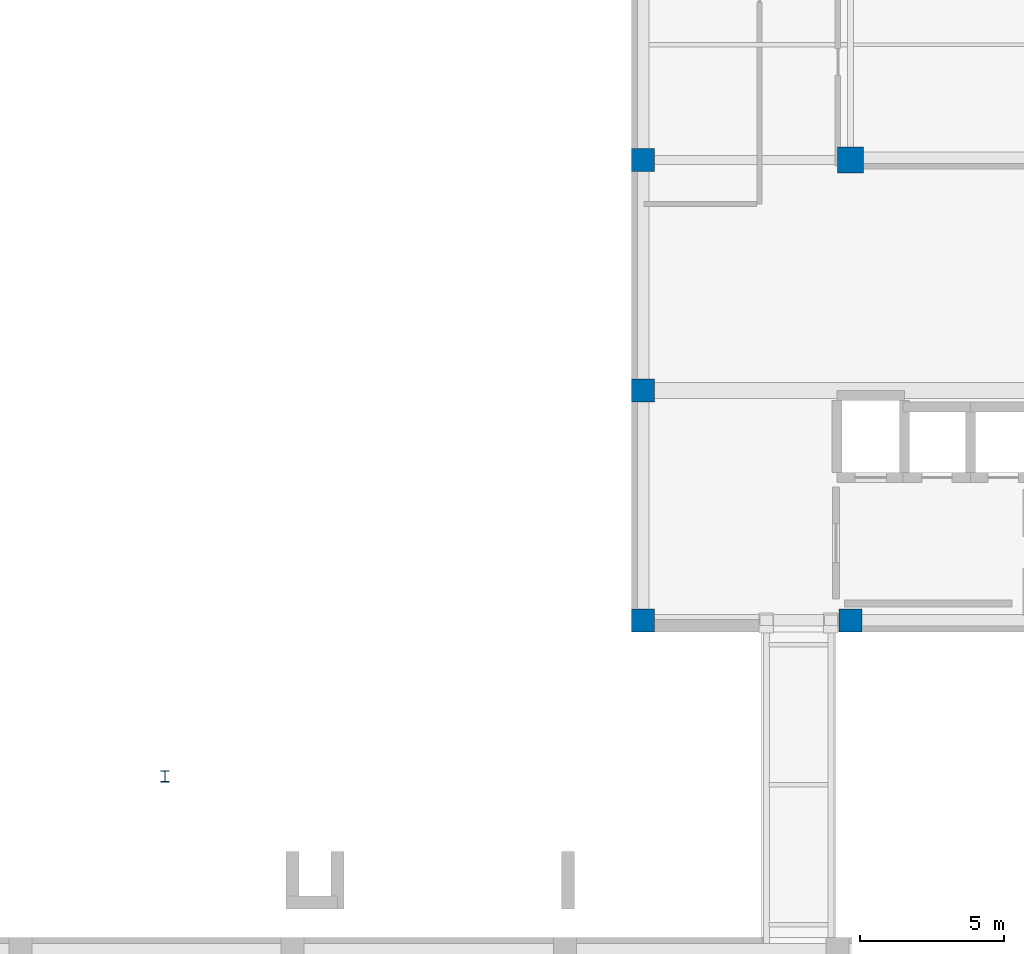
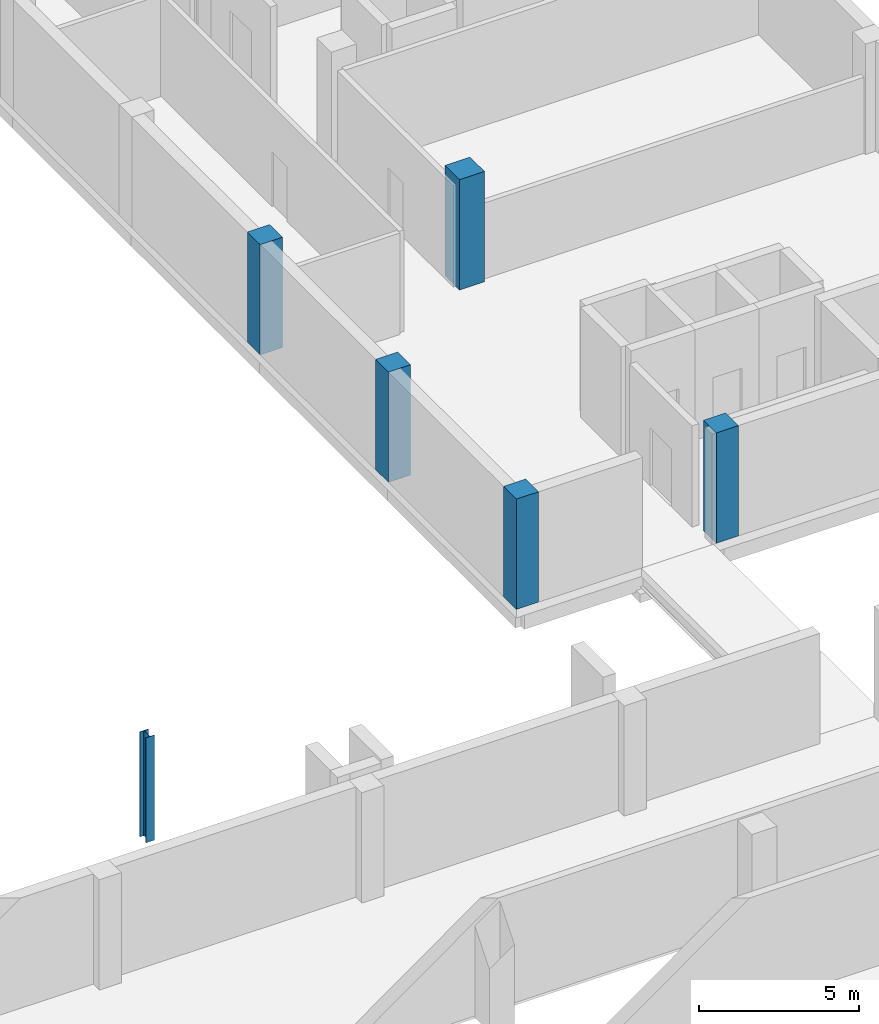
# One storey, part 7 of 31: 6 columns.
"""IFC4 building model written with IfcOpenShell, lengths in metres."""

from ifc_helpers import new_model, si_unit, direction, frame, origin, origin_2d, place, context, subcontext, project, spatial, rectangle, i_section, extrude, material, material_profile, profile_set, type_object, element, save


model = new_model("IFC4")

# Units and contexts
model_context = context("Model", 3, precision=1e-05, world=origin(), true_north=direction((0.0, 1.0)))
body_context = subcontext(model_context, "Body", "Model", "MODEL_VIEW")
ifc_project = project(units=[si_unit("LENGTHUNIT", "METRE"), si_unit("AREAUNIT", "SQUARE_METRE"), si_unit("VOLUMEUNIT", "CUBIC_METRE"), si_unit("PLANEANGLEUNIT", "RADIAN"), si_unit("MASSUNIT", "GRAM", prefix="KILO")], contexts=[model_context])

# Site, building, storey
site_placement = place(None, origin())
site = spatial("IfcSite", under=ifc_project, at=site_placement, CompositionType="ELEMENT")
building_placement = place(site_placement, origin())
building = spatial("IfcBuilding", under=site, at=building_placement, Name="Qalavern Law Courts", CompositionType="ELEMENT")
storey_placement = place(building_placement, frame((0.0, 0.0, -4.199951171875)))
storey = spatial("IfcBuildingStorey", under=building, at=storey_placement, Name="B1", CompositionType="ELEMENT", Elevation=-4.199951171875)

# Columns
ifc_material_1 = material(Name="Steel S355", Category="steel")
ifc_material_profile_1 = material_profile(ifc_material_1, i_section(OverallWidth=0.300048828125, OverallDepth=0.389892578125, WebThickness=0.010986328125, FlangeThickness=0.01904296875, FilletRadius=0.027099609375, at=origin_2d()), Name="HEA 400")
ifc_profile_set_1 = profile_set([ifc_material_profile_1], Name="Steel S355")
column_type_1 = type_object("IfcColumnType", Name="STR-COL-HEA400", PredefinedType="COLUMN", material=ifc_profile_set_1)
column_1_placement = place(storey_placement, frame((68.0, 36.0, 0.0), z_axis=(0.0, 0.0, 1.0), x_axis=(1.0, 0.0, 0.0)))
element("IfcColumn", 1, at=column_1_placement, inside=storey, type_object=column_type_1, Name="Plaza apron substructure column 07 B1", PredefinedType="COLUMN", context=body_context, shape_type="SweptSolid", body=[
    extrude(i_section(OverallWidth=0.300048828125, OverallDepth=0.389892578125, WebThickness=0.010986328125, FlangeThickness=0.01904296875, FilletRadius=0.027099609375, at=origin_2d()), origin(), (0.0, 0.0, 1.0), 3.994873046875),
])
ifc_material_2 = material(Name="Concrete C45/55", Category="concrete")
ifc_material_profile_2 = material_profile(ifc_material_2, rectangle(XDim=0.800048828125, YDim=0.800048828125, at=origin_2d()), Name="RC 800x800")
ifc_profile_set_2 = profile_set([ifc_material_profile_2], Name="Concrete C45/55")
column_type_2 = type_object("IfcColumnType", Name="STR-COL-RC800E", PredefinedType="COLUMN", material=ifc_profile_set_2)
for number, where, z_axis, x_axis, name in (
    (2, (84.60009765625, 41.419921875, 0.0), (0.0, 0.0, 1.0), (1.0, 0.0, 0.0), "V4 column 1-1 B1"),
    (3, (84.60009765625, 49.39990234375, 0.0), (0.0, 0.0, 1.0), (1.0, 0.0, 0.0), "V4 column 1-2 B1"),
    (4, (84.60009765625, 57.39990234375, 0.0), (0.0, 0.0, 1.0), (1.0, 0.0, 0.0), "V4 column 1-3 B1"),
    (5, (91.800048828125, 41.419921875, 0.0), (0.0, 0.0, 1.0), (1.0, 0.0, 0.0), "V4 column 2-1 B1"),
):
    element("IfcColumn", number, at=place(storey_placement, frame(where, z_axis=z_axis, x_axis=x_axis)), inside=storey, type_object=column_type_2, Name=name, PredefinedType="COLUMN", context=body_context, shape_type="SweptSolid", body=[
        extrude(rectangle(XDim=0.800048828125, YDim=0.800048828125, at=origin_2d()), origin(), (0.0, 0.0, 1.0), 4.199951171875),
    ])
ifc_material_profile_3 = material_profile(ifc_material_2, rectangle(XDim=0.89990234375, YDim=0.89990234375, at=origin_2d()), Name="RC 900x900")
ifc_profile_set_3 = profile_set([ifc_material_profile_3], Name="Concrete C45/55")
column_type_3 = type_object("IfcColumnType", Name="STR-COL-RC900", PredefinedType="COLUMN", material=ifc_profile_set_3)
column_2_placement = place(storey_placement, frame((91.800048828125, 57.39990234375, 0.0), z_axis=(0.0, 0.0, 1.0), x_axis=(1.0, 0.0, 0.0)))
element("IfcColumn", 6, at=column_2_placement, inside=storey, type_object=column_type_3, Name="V4 column 2-3 B1", PredefinedType="COLUMN", context=body_context, shape_type="SweptSolid", body=[
    extrude(rectangle(XDim=0.89990234375, YDim=0.89990234375, at=origin_2d()), origin(), (0.0, 0.0, 1.0), 4.199951171875),
])

save(model, "model.ifc")
